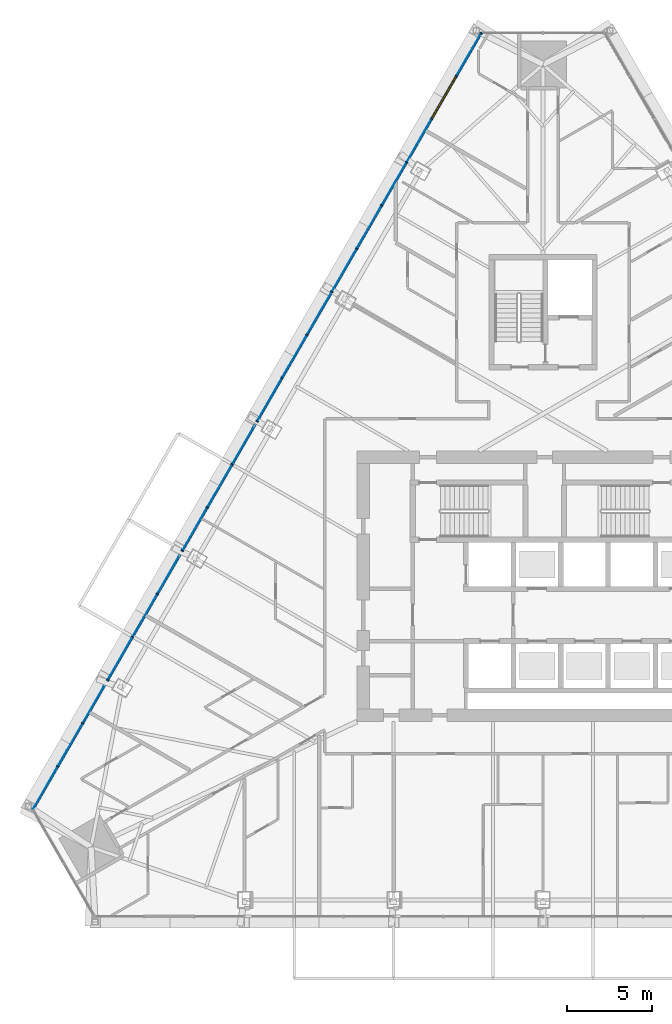
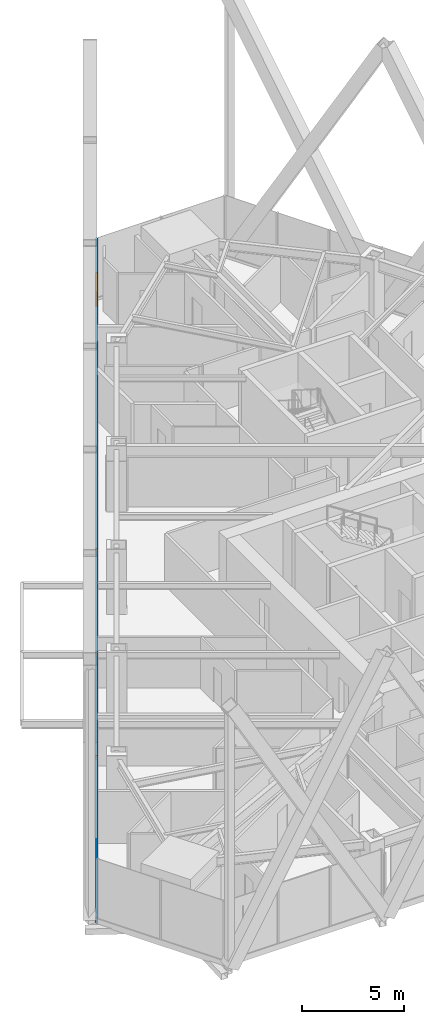
# One storey, part 7 of 19: 19 members, 17 plates, 1 window, 1 opening, 1 element without a shape of its own.
"""IFC4 building model written with IfcOpenShell, lengths in metres."""

from ifc_helpers import new_model, si_unit, direction, frame, frame_2d, origin, origin_2d, place, context, subcontext, project, spatial, polyline, rectangle, outline, extrude, material, layer, layer_set, material_profile, profile_set, type_object, element, fill, aggregate, save


model = new_model("IFC4")

# Units and contexts
model_context = context("Model", 3, precision=1e-05, world=origin(), true_north=direction((0.0, 1.0)))
body_context = subcontext(model_context, "Body", "Model", "MODEL_VIEW")
ifc_project = project(units=[si_unit("LENGTHUNIT", "METRE"), si_unit("AREAUNIT", "SQUARE_METRE"), si_unit("VOLUMEUNIT", "CUBIC_METRE"), si_unit("PLANEANGLEUNIT", "RADIAN"), si_unit("MASSUNIT", "GRAM", prefix="KILO")], contexts=[model_context])

# Site, building, storey
site_placement = place(None, origin())
site = spatial("IfcSite", under=ifc_project, at=site_placement, CompositionType="ELEMENT")
building_placement = place(site_placement, origin())
building = spatial("IfcBuilding", under=site, at=building_placement, Name="Firuza Gate Tower and Library", CompositionType="ELEMENT")
storey_placement = place(building_placement, frame((0.0, 0.0, 187.0)))
storey = spatial("IfcBuildingStorey", under=building, at=storey_placement, Name="L43", CompositionType="ELEMENT", Elevation=187.0)

# Curtain wall, opening, members, plates, window
ifc_material_1 = material(Name="Aluminium 6063-T6", Category="aluminium")
ifc_layer_1 = layer(ifc_material_1, 0.14990234375)
ifc_layer_set_1 = layer_set([ifc_layer_1], Name="Unitised curtain wall, hotel")
curtain_wall_type = type_object("IfcCurtainWallType", Name="Unitised curtain wall, hotel", PredefinedType="NOTDEFINED", material=ifc_layer_set_1)
curtain_wall_placement = place(storey_placement, origin())
curtain_wall = element("IfcCurtainWall", 1, at=curtain_wall_placement, inside=storey, type_object=curtain_wall_type, Name="CW2 L43 W face", PredefinedType="NOTDEFINED")
opening_placement = place(curtain_wall_placement, frame((69.86376953125, 105.13427734375, 0.14990234375), z_axis=(0.0, 0.0, 1.0), x_axis=(-0.5, -0.866025, 0.0)))
opening = element("IfcOpeningElement", 2, at=opening_placement, cuts=curtain_wall, Name="Opening WD1-005", PredefinedType="OPENING", context=body_context, shape_type="SweptSolid", body=[
    extrude(rectangle(XDim=2.8662109375, YDim=3.550048828125, at=frame_2d((1.43310546875, 1.77490234375))), frame((0.0, 0.0849609375, 0.0), z_axis=(0.0, -1.0, 0.0), x_axis=(1.0, 0.0, 0.0)), (0.0, 0.0, 1.0), 0.169921875),
])
ifc_material_2 = material(Name="Aluminium 6063-T6", Category="aluminium")
ifc_material_profile_1 = material_profile(ifc_material_2, rectangle(XDim=0.14990234375, YDim=0.080078125, at=origin_2d()))
ifc_profile_set_1 = profile_set([ifc_material_profile_1], Name="Aluminium 6063-T6")
member_type_1 = type_object("IfcMemberType", Name="Curtain wall mullion 80x150", PredefinedType="MULLION", material=ifc_profile_set_1)
member_1_placement = place(storey_placement, frame((71.336669921875, 107.685546875, 0.14990234375), z_axis=(0.0, 0.0, 1.0), x_axis=(0.866025403784, -0.5, 0.0)))
member_1 = element("IfcMember", 3, at=member_1_placement, type_object=member_type_1, Name="Mullion", PredefinedType="MULLION", context=body_context, shape_type="SweptSolid", body=[
    extrude(rectangle(XDim=0.14990234375, YDim=0.080078125, at=origin_2d()), origin(), (0.0, 0.0, 1.0), 3.550048828125),
])
member_2_placement = place(storey_placement, frame((69.883544921875, 105.168701171875, 0.14990234375), z_axis=(0.0, 0.0, 1.0), x_axis=(0.866025403784, -0.5, 0.0)))
member_2 = element("IfcMember", 4, at=member_2_placement, type_object=member_type_1, Name="Mullion", PredefinedType="MULLION", context=body_context, shape_type="SweptSolid", body=[
    extrude(rectangle(XDim=0.14990234375, YDim=0.080078125, at=origin_2d()), origin(), (0.0, 0.0, 1.0), 3.550048828125),
])
member_3_placement = place(storey_placement, frame((68.41064453125, 102.617431640625, 0.14990234375), z_axis=(0.0, 0.0, 1.0), x_axis=(0.866025403784, -0.5, 0.0)))
member_3 = element("IfcMember", 5, at=member_3_placement, type_object=member_type_1, Name="Mullion", PredefinedType="MULLION", context=body_context, shape_type="SweptSolid", body=[
    extrude(rectangle(XDim=0.14990234375, YDim=0.080078125, at=origin_2d()), origin(), (0.0, 0.0, 1.0), 3.550048828125),
])
member_4_placement = place(storey_placement, frame((66.9375, 100.06591796875, 0.14990234375), z_axis=(0.0, 0.0, 1.0), x_axis=(0.866025403784, -0.5, 0.0)))
member_4 = element("IfcMember", 6, at=member_4_placement, type_object=member_type_1, Name="Mullion", PredefinedType="MULLION", context=body_context, shape_type="SweptSolid", body=[
    extrude(rectangle(XDim=0.14990234375, YDim=0.080078125, at=origin_2d()), origin(), (0.0, 0.0, 1.0), 3.550048828125),
])
member_5_placement = place(storey_placement, frame((65.464599609375, 97.5146484375, 0.14990234375), z_axis=(0.0, 0.0, 1.0), x_axis=(0.866025403784, -0.5, 0.0)))
member_5 = element("IfcMember", 7, at=member_5_placement, type_object=member_type_1, Name="Mullion", PredefinedType="MULLION", context=body_context, shape_type="SweptSolid", body=[
    extrude(rectangle(XDim=0.14990234375, YDim=0.080078125, at=origin_2d()), origin(), (0.0, 0.0, 1.0), 3.550048828125),
])
member_6_placement = place(storey_placement, frame((63.991455078125, 94.963134765625, 0.14990234375), z_axis=(0.0, 0.0, 1.0), x_axis=(0.866025403784, -0.5, 0.0)))
member_6 = element("IfcMember", 8, at=member_6_placement, type_object=member_type_1, Name="Mullion", PredefinedType="MULLION", context=body_context, shape_type="SweptSolid", body=[
    extrude(rectangle(XDim=0.14990234375, YDim=0.080078125, at=origin_2d()), origin(), (0.0, 0.0, 1.0), 3.550048828125),
])
member_7_placement = place(storey_placement, frame((62.518310546875, 92.411865234375, 0.14990234375), z_axis=(0.0, 0.0, 1.0), x_axis=(0.866025403784, -0.5, 0.0)))
member_7 = element("IfcMember", 9, at=member_7_placement, type_object=member_type_1, Name="Mullion", PredefinedType="MULLION", context=body_context, shape_type="SweptSolid", body=[
    extrude(rectangle(XDim=0.14990234375, YDim=0.080078125, at=origin_2d()), origin(), (0.0, 0.0, 1.0), 3.550048828125),
])
member_8_placement = place(storey_placement, frame((61.04541015625, 89.8603515625, 0.14990234375), z_axis=(0.0, 0.0, 1.0), x_axis=(0.866025403784, -0.5, 0.0)))
member_8 = element("IfcMember", 10, at=member_8_placement, type_object=member_type_1, Name="Mullion", PredefinedType="MULLION", context=body_context, shape_type="SweptSolid", body=[
    extrude(rectangle(XDim=0.14990234375, YDim=0.080078125, at=origin_2d()), origin(), (0.0, 0.0, 1.0), 3.550048828125),
])
member_9_placement = place(storey_placement, frame((59.572265625, 87.30908203125, 0.14990234375), z_axis=(0.0, 0.0, 1.0), x_axis=(0.866025403784, -0.5, 0.0)))
member_9 = element("IfcMember", 11, at=member_9_placement, type_object=member_type_1, Name="Mullion", PredefinedType="MULLION", context=body_context, shape_type="SweptSolid", body=[
    extrude(rectangle(XDim=0.14990234375, YDim=0.080078125, at=origin_2d()), origin(), (0.0, 0.0, 1.0), 3.550048828125),
])
member_10_placement = place(storey_placement, frame((58.099365234375, 84.757568359375, 0.14990234375), z_axis=(0.0, 0.0, 1.0), x_axis=(0.866025403784, -0.5, 0.0)))
member_10 = element("IfcMember", 12, at=member_10_placement, type_object=member_type_1, Name="Mullion", PredefinedType="MULLION", context=body_context, shape_type="SweptSolid", body=[
    extrude(rectangle(XDim=0.14990234375, YDim=0.080078125, at=origin_2d()), origin(), (0.0, 0.0, 1.0), 3.550048828125),
])
member_11_placement = place(storey_placement, frame((56.626220703125, 82.206298828125, 0.14990234375), z_axis=(0.0, 0.0, 1.0), x_axis=(0.866025403784, -0.5, 0.0)))
member_11 = element("IfcMember", 13, at=member_11_placement, type_object=member_type_1, Name="Mullion", PredefinedType="MULLION", context=body_context, shape_type="SweptSolid", body=[
    extrude(rectangle(XDim=0.14990234375, YDim=0.080078125, at=origin_2d()), origin(), (0.0, 0.0, 1.0), 3.550048828125),
])
member_12_placement = place(storey_placement, frame((55.153076171875, 79.65478515625, 0.14990234375), z_axis=(0.0, 0.0, 1.0), x_axis=(0.866025403784, -0.5, 0.0)))
member_12 = element("IfcMember", 14, at=member_12_placement, type_object=member_type_1, Name="Mullion", PredefinedType="MULLION", context=body_context, shape_type="SweptSolid", body=[
    extrude(rectangle(XDim=0.14990234375, YDim=0.080078125, at=origin_2d()), origin(), (0.0, 0.0, 1.0), 3.550048828125),
])
member_13_placement = place(storey_placement, frame((53.68017578125, 77.103515625, 0.14990234375), z_axis=(0.0, 0.0, 1.0), x_axis=(0.866025403784, -0.5, 0.0)))
member_13 = element("IfcMember", 15, at=member_13_placement, type_object=member_type_1, Name="Mullion", PredefinedType="MULLION", context=body_context, shape_type="SweptSolid", body=[
    extrude(rectangle(XDim=0.14990234375, YDim=0.080078125, at=origin_2d()), origin(), (0.0, 0.0, 1.0), 3.550048828125),
])
member_14_placement = place(storey_placement, frame((52.20703125, 74.552001953125, 0.14990234375), z_axis=(0.0, 0.0, 1.0), x_axis=(0.866025403784, -0.5, 0.0)))
member_14 = element("IfcMember", 16, at=member_14_placement, type_object=member_type_1, Name="Mullion", PredefinedType="MULLION", context=body_context, shape_type="SweptSolid", body=[
    extrude(rectangle(XDim=0.14990234375, YDim=0.080078125, at=origin_2d()), origin(), (0.0, 0.0, 1.0), 3.550048828125),
])
member_15_placement = place(storey_placement, frame((50.734130859375, 72.000732421875, 0.14990234375), z_axis=(0.0, 0.0, 1.0), x_axis=(0.866025403784, -0.5, 0.0)))
member_15 = element("IfcMember", 17, at=member_15_placement, type_object=member_type_1, Name="Mullion", PredefinedType="MULLION", context=body_context, shape_type="SweptSolid", body=[
    extrude(rectangle(XDim=0.14990234375, YDim=0.080078125, at=origin_2d()), origin(), (0.0, 0.0, 1.0), 3.550048828125),
])
member_16_placement = place(storey_placement, frame((49.260986328125, 69.44921875, 0.14990234375), z_axis=(0.0, 0.0, 1.0), x_axis=(0.866025403784, -0.5, 0.0)))
member_16 = element("IfcMember", 18, at=member_16_placement, type_object=member_type_1, Name="Mullion", PredefinedType="MULLION", context=body_context, shape_type="SweptSolid", body=[
    extrude(rectangle(XDim=0.14990234375, YDim=0.080078125, at=origin_2d()), origin(), (0.0, 0.0, 1.0), 3.550048828125),
])
member_17_placement = place(storey_placement, frame((47.787841796875, 66.89794921875, 0.14990234375), z_axis=(0.0, 0.0, 1.0), x_axis=(0.866025403784, -0.5, 0.0)))
member_17 = element("IfcMember", 19, at=member_17_placement, type_object=member_type_1, Name="Mullion", PredefinedType="MULLION", context=body_context, shape_type="SweptSolid", body=[
    extrude(rectangle(XDim=0.14990234375, YDim=0.080078125, at=origin_2d()), origin(), (0.0, 0.0, 1.0), 3.550048828125),
])
member_18_placement = place(storey_placement, frame((46.31494140625, 64.346435546875, 0.14990234375), z_axis=(0.0, 0.0, 1.0), x_axis=(0.866025403784, -0.5, 0.0)))
member_18 = element("IfcMember", 20, at=member_18_placement, type_object=member_type_1, Name="Mullion", PredefinedType="MULLION", context=body_context, shape_type="SweptSolid", body=[
    extrude(rectangle(XDim=0.14990234375, YDim=0.080078125, at=origin_2d()), origin(), (0.0, 0.0, 1.0), 3.550048828125),
])
ifc_material_3 = material(Name="Aluminium 6063-T6", Category="aluminium")
ifc_material_profile_2 = material_profile(ifc_material_3, rectangle(XDim=0.14990234375, YDim=0.35009765625, at=origin_2d()))
ifc_profile_set_2 = profile_set([ifc_material_profile_2], Name="Aluminium 6063-T6")
member_type_2 = type_object("IfcMemberType", Name="Curtain wall transom 350x150", PredefinedType="USERDEFINED", material=ifc_profile_set_2)
member_19_placement = place(storey_placement, frame((71.356689453125, 107.72021484375, -0.02490234375), z_axis=(-0.500000753464, -0.866024968771, 0.0), x_axis=(0.866024968771, -0.500000753464, 0.0)))
member_19 = element("IfcMember", 21, at=member_19_placement, type_object=member_type_2, Name="Transom", ObjectType="TRANSOM", PredefinedType="USERDEFINED", context=body_context, shape_type="SweptSolid", body=[
    extrude(rectangle(XDim=0.14990234375, YDim=0.35009765625, at=origin_2d()), origin(), (0.0, 0.0, 1.0), 53.02978515625),
])
ifc_material_4 = material(Name="Fritted glass", Category="glass")
ifc_layer_2 = layer(ifc_material_4, 0.030029296875)
ifc_layer_set_2 = layer_set([ifc_layer_2], Name="Fritted glass unit, hotel")
plate_type_1 = type_object("IfcPlateType", Name="Fritted glass unit, hotel", PredefinedType="CURTAIN_PANEL", material=ifc_layer_set_2)
plate_1_placement = place(storey_placement, frame((65.431396484375, 97.487548828125, 0.14990234375), z_axis=(-0.866059343325, 0.499941210384, 0.0), x_axis=(-0.499941210384, -0.866059343325, 0.0)))
plate_1 = element("IfcPlate", 22, at=plate_1_placement, type_object=plate_type_1, Name="Glass unit", PredefinedType="CURTAIN_PANEL", context=body_context, shape_type="SweptSolid", body=[
    extrude(outline(polyline([(0.0, 0.0), (2.8660596453429132, 0.0), (2.8660596453429132, 3.550048828125001), (0.0, 3.550048828125001), (0.0, 0.0)])), origin(), (0.0, 0.0, -1.0), 0.030029296875),
])
plate_2_placement = place(storey_placement, frame((61.012451171875, 89.833251953125, 0.14990234375), z_axis=(-0.866022459948, 0.500005098839, 0.0), x_axis=(-0.500005098839, -0.866022459948, 0.0)))
plate_2 = element("IfcPlate", 23, at=plate_2_placement, type_object=plate_type_1, Name="Glass unit", PredefinedType="CURTAIN_PANEL", context=body_context, shape_type="SweptSolid", body=[
    extrude(outline(polyline([(0.0, 0.0), (2.8661817091015296, 0.0), (2.8661817091015296, 3.550048828125), (0.0, 3.550048828125), (0.0, 0.0)])), origin(), (0.0, 0.0, -1.0), 0.030029296875),
])
plate_3_placement = place(storey_placement, frame((56.59326171875, 82.17919921875, 0.14990234375), z_axis=(-0.866022459948, 0.500005098839, 0.0), x_axis=(-0.500005098839, -0.866022459948, 0.0)))
plate_3 = element("IfcPlate", 24, at=plate_3_placement, type_object=plate_type_1, Name="Glass unit", PredefinedType="CURTAIN_PANEL", context=body_context, shape_type="SweptSolid", body=[
    extrude(outline(polyline([(0.0, 0.0), (2.8661817091015296, 0.0), (2.8661817091015296, 3.550048828125), (0.0, 3.550048828125), (0.0, 0.0)])), origin(), (0.0, 0.0, -1.0), 0.030029296875),
])
plate_4_placement = place(storey_placement, frame((52.174072265625, 74.52490234375, 0.14990234375), z_axis=(-0.866022459948, 0.500005098839, 0.0), x_axis=(-0.500005098839, -0.866022459948, 0.0)))
plate_4 = element("IfcPlate", 25, at=plate_4_placement, type_object=plate_type_1, Name="Glass unit", PredefinedType="CURTAIN_PANEL", context=body_context, shape_type="SweptSolid", body=[
    extrude(outline(polyline([(0.0, 0.0), (2.8661817091015296, 0.0), (2.8661817091015296, 3.550048828125), (0.0, 3.550048828125), (0.0, 0.0)])), origin(), (0.0, 0.0, -1.0), 0.030029296875),
])
plate_5_placement = place(storey_placement, frame((47.7548828125, 66.870849609375, 0.14990234375), z_axis=(-0.866022459948, 0.500005098839, 0.0), x_axis=(-0.500005098839, -0.866022459948, 0.0)))
plate_5 = element("IfcPlate", 26, at=plate_5_placement, type_object=plate_type_1, Name="Glass unit", PredefinedType="CURTAIN_PANEL", context=body_context, shape_type="SweptSolid", body=[
    extrude(outline(polyline([(0.0, 0.0), (2.8661817091015296, 0.0), (2.8661817091015296, 3.550048828125), (0.0, 3.550048828125), (0.0, 0.0)])), origin(), (0.0, 0.0, -1.0), 0.030029296875),
])
ifc_material_5 = material(Name="Glazed ceramic tile")
ifc_layer_3 = layer(ifc_material_5, 0.030029296875)
ifc_layer_set_3 = layer_set([ifc_layer_3], Name="Opaque ceramic panel, hotel")
plate_type_2 = type_object("IfcPlateType", Name="Opaque ceramic panel, hotel", PredefinedType="CURTAIN_PANEL", material=ifc_layer_set_3)
plate_6_placement = place(storey_placement, frame((71.32373046875, 107.693115234375, 0.14990234375), z_axis=(-0.866022459948, 0.500005098839, 0.0), x_axis=(-0.500005098839, -0.866022459948, 0.0)))
plate_6 = element("IfcPlate", 27, at=plate_6_placement, type_object=plate_type_2, Name="Opaque ceramic panel", PredefinedType="CURTAIN_PANEL", context=body_context, shape_type="SweptSolid", body=[
    extrude(outline(polyline([(0.0, 0.0), (2.8661817091015296, 0.0), (2.8661817091015296, 3.550048828125), (0.0, 3.550048828125), (0.0, 0.0)])), origin(), (0.0, 0.0, -1.0), 0.030029296875),
])
plate_7_placement = place(storey_placement, frame((68.377685546875, 102.59033203125, 0.14990234375), z_axis=(-0.866022459948, 0.500005098839, 0.0), x_axis=(-0.500005098839, -0.866022459948, 0.0)))
plate_7 = element("IfcPlate", 28, at=plate_7_placement, type_object=plate_type_2, Name="Opaque ceramic panel", PredefinedType="CURTAIN_PANEL", context=body_context, shape_type="SweptSolid", body=[
    extrude(outline(polyline([(0.0, 0.0), (2.8661817091015296, 0.0), (2.8661817091015296, 3.550048828125), (0.0, 3.550048828125), (0.0, 0.0)])), origin(), (0.0, 0.0, -1.0), 0.030029296875),
])
plate_8_placement = place(storey_placement, frame((66.904541015625, 100.038818359375, 0.14990234375), z_axis=(-0.866022459948, 0.500005098839, 0.0), x_axis=(-0.500005098839, -0.866022459948, 0.0)))
plate_8 = element("IfcPlate", 29, at=plate_8_placement, type_object=plate_type_2, Name="Opaque ceramic panel", PredefinedType="CURTAIN_PANEL", context=body_context, shape_type="SweptSolid", body=[
    extrude(outline(polyline([(0.0, 0.0), (2.8661817091015296, 0.0), (2.8661817091015296, 3.550048828125), (0.0, 3.550048828125), (0.0, 0.0)])), origin(), (0.0, 0.0, -1.0), 0.030029296875),
])
plate_9_placement = place(storey_placement, frame((63.95849609375, 94.93603515625, 0.14990234375), z_axis=(-0.866022459948, 0.500005098839, 0.0), x_axis=(-0.500005098839, -0.866022459948, 0.0)))
plate_9 = element("IfcPlate", 30, at=plate_9_placement, type_object=plate_type_2, Name="Opaque ceramic panel", PredefinedType="CURTAIN_PANEL", context=body_context, shape_type="SweptSolid", body=[
    extrude(outline(polyline([(0.0, 0.0), (2.8661817091015296, 0.0), (2.8661817091015296, 3.550048828125), (0.0, 3.550048828125), (0.0, 0.0)])), origin(), (0.0, 0.0, -1.0), 0.030029296875),
])
plate_10_placement = place(storey_placement, frame((62.4853515625, 92.384765625, 0.14990234375), z_axis=(-0.866059343325, 0.499941210384, 0.0), x_axis=(-0.499941210384, -0.866059343325, 0.0)))
plate_10 = element("IfcPlate", 31, at=plate_10_placement, type_object=plate_type_2, Name="Opaque ceramic panel", PredefinedType="CURTAIN_PANEL", context=body_context, shape_type="SweptSolid", body=[
    extrude(outline(polyline([(0.0, 0.0), (2.8660596453429132, 0.0), (2.8660596453429132, 3.550048828125001), (0.0, 3.550048828125001), (0.0, 0.0)])), origin(), (0.0, 0.0, -1.0), 0.030029296875),
])
plate_11_placement = place(storey_placement, frame((59.539306640625, 87.281982421875, 0.14990234375), z_axis=(-0.866022459948, 0.500005098839, 0.0), x_axis=(-0.500005098839, -0.866022459948, 0.0)))
plate_11 = element("IfcPlate", 32, at=plate_11_placement, type_object=plate_type_2, Name="Opaque ceramic panel", PredefinedType="CURTAIN_PANEL", context=body_context, shape_type="SweptSolid", body=[
    extrude(outline(polyline([(0.0, 0.0), (2.8661817091015296, 0.0), (2.8661817091015296, 3.550048828125), (0.0, 3.550048828125), (0.0, 0.0)])), origin(), (0.0, 0.0, -1.0), 0.030029296875),
])
plate_12_placement = place(storey_placement, frame((57.8427734375, 84.34326171875, 0.14990234375), z_axis=(-0.866036008249, 0.499981632079, 0.0), x_axis=(-0.499981632079, -0.866036008249, 0.0)))
plate_12 = element("IfcPlate", 33, at=plate_12_placement, type_object=plate_type_2, Name="Opaque ceramic panel", PredefinedType="CURTAIN_PANEL", context=body_context, shape_type="SweptSolid", body=[
    extrude(outline(polyline([(0.0, 0.0), (2.419034177759481, 0.0), (2.419034177759481, 3.550048828125), (0.0, 3.550048828125), (0.0, 0.0)])), origin(), (0.0, 0.0, -1.0), 0.030029296875),
])
plate_13_placement = place(storey_placement, frame((55.1201171875, 79.627685546875, 0.14990234375), z_axis=(-0.866022459948, 0.500005098839, 0.0), x_axis=(-0.500005098839, -0.866022459948, 0.0)))
plate_13 = element("IfcPlate", 34, at=plate_13_placement, type_object=plate_type_2, Name="Opaque ceramic panel", PredefinedType="CURTAIN_PANEL", context=body_context, shape_type="SweptSolid", body=[
    extrude(outline(polyline([(0.0, 0.0), (2.8661817091015296, 0.0), (2.8661817091015296, 3.550048828125), (0.0, 3.550048828125), (0.0, 0.0)])), origin(), (0.0, 0.0, -1.0), 0.030029296875),
])
plate_14_placement = place(storey_placement, frame((53.430908203125, 76.70166015625, 0.14990234375), z_axis=(-0.866011828767, 0.500023511883, 0.0), x_axis=(-0.500023511883, -0.866011828767, 0.0)))
plate_14 = element("IfcPlate", 35, at=plate_14_placement, type_object=plate_type_2, Name="Opaque ceramic panel", PredefinedType="CURTAIN_PANEL", context=body_context, shape_type="SweptSolid", body=[
    extrude(outline(polyline([(0.0, 0.0), (2.43347931863788, 0.0), (2.43347931863788, 3.550048828125), (0.0, 3.550048828125), (0.0, 0.0)])), origin(), (0.0, 0.0, -1.0), 0.030029296875),
])
plate_15_placement = place(storey_placement, frame((50.700927734375, 71.9736328125, 0.14990234375), z_axis=(-0.866059343325, 0.499941210384, 0.0), x_axis=(-0.499941210384, -0.866059343325, 0.0)))
plate_15 = element("IfcPlate", 36, at=plate_15_placement, type_object=plate_type_2, Name="Opaque ceramic panel", PredefinedType="CURTAIN_PANEL", context=body_context, shape_type="SweptSolid", body=[
    extrude(outline(polyline([(0.0, 0.0), (2.8660596453429132, 0.0), (2.8660596453429132, 3.550048828125001), (0.0, 3.550048828125001), (0.0, 0.0)])), origin(), (0.0, 0.0, -1.0), 0.030029296875),
])
plate_16_placement = place(storey_placement, frame((49.018798828125, 69.06005859375, 0.14990234375), z_axis=(-0.866056051747, 0.499946912414, 0.0), x_axis=(-0.499946912414, -0.866056051747, 0.0)))
plate_16 = element("IfcPlate", 37, at=plate_16_placement, type_object=plate_type_2, Name="Opaque ceramic panel", PredefinedType="CURTAIN_PANEL", context=body_context, shape_type="SweptSolid", body=[
    extrude(outline(polyline([(0.0, 0.0), (2.4480138245368313, 0.0), (2.4480138245368313, 3.550048828125), (0.0, 3.550048828125), (0.0, 0.0)])), origin(), (0.0, 0.0, -1.0), 0.030029296875),
])
plate_17_placement = place(storey_placement, frame((46.281982421875, 64.3193359375, 0.14990234375), z_axis=(-0.866022459948, 0.500005098839, 0.0), x_axis=(-0.500005098839, -0.866022459948, 0.0)))
plate_17 = element("IfcPlate", 38, at=plate_17_placement, type_object=plate_type_2, Name="Opaque ceramic panel", PredefinedType="CURTAIN_PANEL", context=body_context, shape_type="SweptSolid", body=[
    extrude(outline(polyline([(0.0, 0.0), (2.8661817091015296, 0.0), (2.8661817091015296, 3.550048828125), (0.0, 3.550048828125), (0.0, 0.0)])), origin(), (0.0, 0.0, -1.0), 0.030029296875),
])
aggregate(curtain_wall, [member_1, member_2, member_3, member_4, member_5, member_6, member_7, member_8, member_9, member_10, member_11, member_12, member_13, member_14, member_15, member_16, member_17, member_18, member_19, plate_6, plate_7, plate_8, plate_1, plate_9, plate_10, plate_2, plate_11, plate_12, plate_3, plate_13, plate_14, plate_4, plate_15, plate_16, plate_5, plate_17])
ifc_material_6 = material(Name="Aluminium 6063-T6 and glass", Category="aluminium")
ifc_layer_4 = layer(ifc_material_6, 0.030029296875)
ifc_layer_set_4 = layer_set([ifc_layer_4], Name="Operable glazed unit")
window_type = type_object("IfcWindowType", Name="Operable glazed unit", PartitioningType="SINGLE_PANEL", PredefinedType="WINDOW", material=ifc_layer_set_4)
window_placement = place(opening_placement, origin())
window = element("IfcWindow", 39, at=window_placement, inside=storey, type_object=window_type, Name="Operable glazed unit", OverallHeight=3.550048828125, OverallWidth=2.8662109375, PartitioningType="SINGLE_PANEL", PredefinedType="WINDOW", context=body_context, shape_type="SweptSolid", body=[
    extrude(rectangle(XDim=2.8662109375, YDim=3.550048828125, at=frame_2d((1.43310546875, 1.77490234375))), frame((0.0, 0.030029296875, 0.0), z_axis=(0.0, -1.0, 0.0), x_axis=(1.0, 0.0, 0.0)), (0.0, 0.0, 1.0), 0.06005859375),
])
fill(opening, window)

save(model, "model.ifc")
